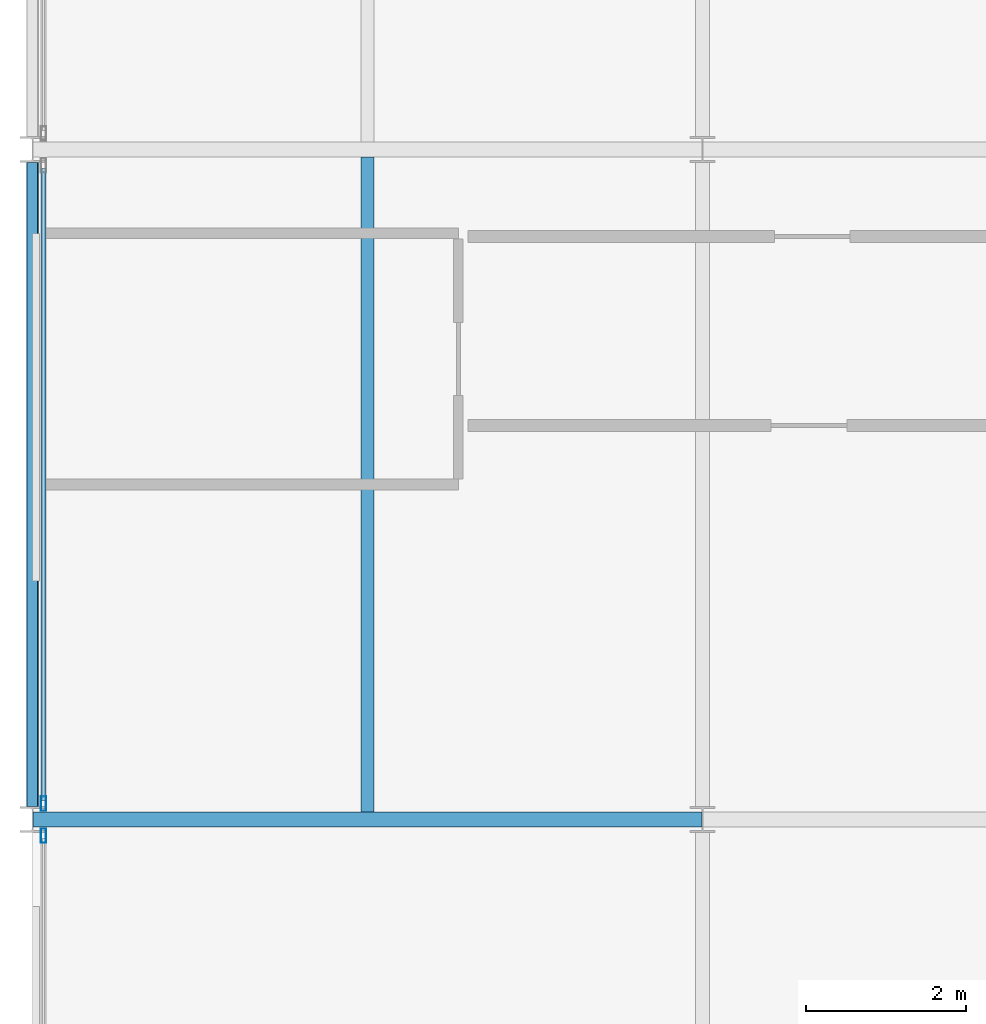
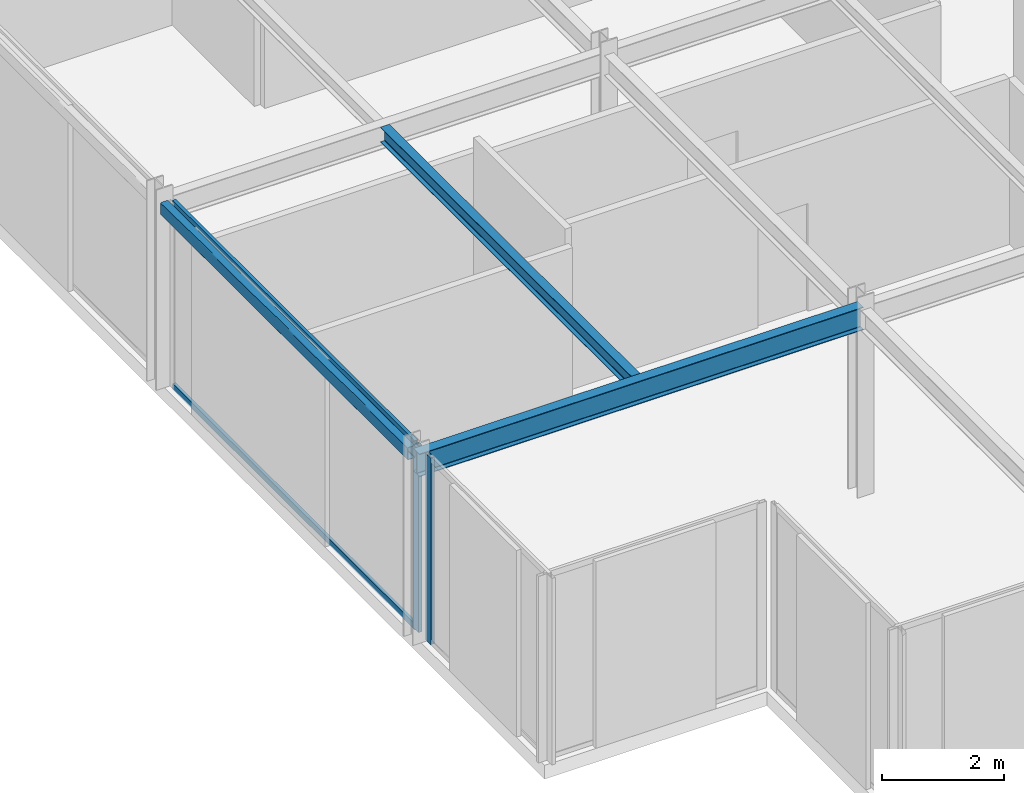
# One storey, part 5 of 26: 4 members, 3 beams, 2 elements without a shape of their own.
"""IFC4 building model written with IfcOpenShell, lengths in metres."""

from ifc_helpers import new_model, si_unit, direction, frame, origin, origin_2d, place, context, subcontext, project, spatial, hollow_rectangle, i_section, extrude, material, layer, layer_set, material_profile, profile_set, type_object, element, aggregate, save


model = new_model("IFC4")

# Units and contexts
model_context = context("Model", 3, precision=1e-05, world=origin(), true_north=direction((0.0, 1.0)))
body_context = subcontext(model_context, "Body", "Model", "MODEL_VIEW")
ifc_project = project(units=[si_unit("LENGTHUNIT", "METRE"), si_unit("AREAUNIT", "SQUARE_METRE"), si_unit("VOLUMEUNIT", "CUBIC_METRE"), si_unit("PLANEANGLEUNIT", "RADIAN"), si_unit("MASSUNIT", "GRAM", prefix="KILO")], contexts=[model_context])

# Site, building, storey
site_placement = place(None, origin())
site = spatial("IfcSite", under=ifc_project, at=site_placement, CompositionType="ELEMENT")
building_placement = place(site_placement, origin())
building = spatial("IfcBuilding", under=site, at=building_placement, Name="Nerrivon Quay Data Exchange", CompositionType="ELEMENT")
storey_placement = place(building_placement, frame((0.0, 0.0, 270.199951171875)))
storey = spatial("IfcBuildingStorey", under=building, at=storey_placement, Name="L64", CompositionType="ELEMENT", Elevation=270.199951171875)

# Beams
ifc_material_1 = material(Name="Steel Grade 350", Category="steel")
ifc_material_profile_1 = material_profile(ifc_material_1, i_section(OverallWidth=0.18994140625, OverallDepth=0.4541015625, WebThickness=0.008544921875, FlangeThickness=0.0126953125, FilletRadius=0.011474609375, at=origin_2d()), Name="460UB67.1")
ifc_profile_set_1 = profile_set([ifc_material_profile_1], Name="Steel Grade 350")
beam_type_1 = type_object("IfcBeamType", Name="BM-G6-460UB67", PredefinedType="BEAM", material=ifc_profile_set_1)
beam_1_placement = place(storey_placement, frame((0.0078125, 8.39990234375, 3.498046875), z_axis=(1.0, 0.0, 0.0), x_axis=(0.0, 1.0, 0.0)))
element("IfcBeam", 1, at=beam_1_placement, inside=storey, type_object=beam_type_1, Name="L64 EW Girder Y=8.4 (0.0..8.4)", PredefinedType="BEAM", context=body_context, shape_type="SweptSolid", body=[
    extrude(i_section(OverallWidth=0.18994140625, OverallDepth=0.4541015625, WebThickness=0.008544921875, FlangeThickness=0.0126953125, FilletRadius=0.011474609375, at=origin_2d()), origin(), (0.0, 0.0, 1.0), 8.38427734375),
])
ifc_material_profile_2 = material_profile(ifc_material_1, i_section(OverallWidth=0.1650390625, OverallDepth=0.303955078125, WebThickness=0.006103515625, FlangeThickness=0.01025390625, FilletRadius=0.011474609375, at=origin_2d()), Name="310UB40.4")
ifc_profile_set_2 = profile_set([ifc_material_profile_2], Name="Steel Grade 350")
beam_type_2 = type_object("IfcBeamType", Name="BM-J6-310UB40", PredefinedType="JOIST", material=ifc_profile_set_2)
beam_2_placement = place(storey_placement, frame((4.199951171875, 8.4951171875, 3.572998046875), z_axis=(0.0, 1.0, 0.0), x_axis=(-1.0, 0.0, 0.0)))
element("IfcBeam", 2, at=beam_2_placement, inside=storey, type_object=beam_type_2, Name="L64 Secondary Joist X=4.2 (8.4..16.8)", PredefinedType="JOIST", context=body_context, shape_type="SweptSolid", body=[
    extrude(i_section(OverallWidth=0.1650390625, OverallDepth=0.303955078125, WebThickness=0.006103515625, FlangeThickness=0.01025390625, FilletRadius=0.011474609375, at=origin_2d()), origin(), (0.0, 0.0, 1.0), 8.2099609375),
])
ifc_material_2 = material(Name="Steel Grade C350L0 (350 MPa)", Category="steel")
ifc_material_profile_3 = material_profile(ifc_material_2, hollow_rectangle(XDim=0.14990234375, YDim=0.25, WallThickness=0.009033203125, InnerFilletRadius=0.013427734375, OuterFilletRadius=0.0224609375, at=origin_2d()), Name="250x150x9.0RHS")
ifc_profile_set_3 = profile_set([ifc_material_profile_3], Name="Steel Grade C350L0 (350 MPa)")
beam_type_3 = type_object("IfcBeamType", Name="BM-SP4-250x150RHS", PredefinedType="SPANDREL", material=ifc_profile_set_3)
beam_3_placement = place(storey_placement, frame((0.0, 8.5634765625, 3.60009765625), z_axis=(0.0, 1.0, 0.0), x_axis=(-1.0, 0.0, 0.0)))
element("IfcBeam", 3, at=beam_3_placement, inside=storey, type_object=beam_type_3, Name="L64 NS Girder X=0.0 (8.4..16.8)", PredefinedType="SPANDREL", context=body_context, shape_type="SweptSolid", body=[
    extrude(hollow_rectangle(XDim=0.14990234375, YDim=0.25, WallThickness=0.009033203125, InnerFilletRadius=0.013427734375, OuterFilletRadius=0.0224609375, at=origin_2d()), origin(), (0.0, 0.0, 1.0), 8.072998046875),
])

# Curtain wall, member
ifc_material_3 = material(Name="Anodised aluminium 6063-T6", Category="aluminium")
ifc_layer = layer(ifc_material_3, 0.195068359375)
ifc_layer_set = layer_set([ifc_layer], Name="Anodised aluminium 6063-T6")
curtain_wall_type = type_object("IfcCurtainWallType", Name="CW-SYS-06", PredefinedType="NOTDEFINED", material=ifc_layer_set)
curtain_wall_1_placement = place(storey_placement, origin())
curtain_wall_1 = element("IfcCurtainWall", 4, at=curtain_wall_1_placement, inside=storey, type_object=curtain_wall_type, Name="L64 Unitised Curtain Wall 11", PredefinedType="NOTDEFINED")
ifc_material_profile_4 = material_profile(ifc_material_3, hollow_rectangle(XDim=0.06494140625, YDim=0.179931640625, WallThickness=0.00341796875, at=origin_2d()), Name="ALU-MULL-180x65")
ifc_profile_set_4 = profile_set([ifc_material_profile_4], Name="Anodised aluminium 6063-T6")
member_type_1 = type_object("IfcMemberType", Name="CWM-180x65", PredefinedType="MULLION", material=ifc_profile_set_4)
member_1_placement = place(storey_placement, frame((0.139892578125, 8.198974609375, 0.0), z_axis=(0.0, 0.0, 1.0), x_axis=(-1.0, 0.0, 0.0)))
member_1 = element("IfcMember", 5, at=member_1_placement, type_object=member_type_1, Name="CW06 mullion 2", PredefinedType="MULLION", context=body_context, shape_type="SweptSolid", body=[
    extrude(hollow_rectangle(XDim=0.06494140625, YDim=0.179931640625, WallThickness=0.00341796875, at=origin_2d()), origin(), (0.0, 0.0, 1.0), 3.72509765625),
])
aggregate(curtain_wall_1, [member_1])

# Curtain wall, members
curtain_wall_2_placement = place(storey_placement, origin())
curtain_wall_2 = element("IfcCurtainWall", 6, at=curtain_wall_2_placement, inside=storey, type_object=curtain_wall_type, Name="L64 Unitised Curtain Wall 12", PredefinedType="NOTDEFINED")
member_2_placement = place(storey_placement, frame((0.139892578125, 8.60107421875, 0.0), z_axis=(0.0, 0.0, 1.0), x_axis=(-1.0, 0.0, 0.0)))
member_2 = element("IfcMember", 7, at=member_2_placement, type_object=member_type_1, Name="CW06 mullion 1", PredefinedType="MULLION", context=body_context, shape_type="SweptSolid", body=[
    extrude(hollow_rectangle(XDim=0.06494140625, YDim=0.179931640625, WallThickness=0.00341796875, at=origin_2d()), origin(), (0.0, 0.0, 1.0), 3.72509765625),
])
ifc_material_profile_5 = material_profile(ifc_material_3, hollow_rectangle(XDim=0.06005859375, YDim=0.1201171875, WallThickness=0.003173828125, at=origin_2d()), Name="ALU-TRAN-120x60")
ifc_profile_set_5 = profile_set([ifc_material_profile_5], Name="Anodised aluminium 6063-T6")
member_type_2 = type_object("IfcMemberType", Name="CWT-120x60", PredefinedType="USERDEFINED", material=ifc_profile_set_5)
member_3_placement = place(storey_placement, frame((0.139892578125, 8.638427734375, 0.032470703125), z_axis=(0.0, 1.0, 0.0), x_axis=(-1.0, 0.0, 0.0)))
member_3 = element("IfcMember", 8, at=member_3_placement, type_object=member_type_2, Name="CW06 transom 1.1", ObjectType="TRANSOM", PredefinedType="USERDEFINED", context=body_context, shape_type="SweptSolid", body=[
    extrude(hollow_rectangle(XDim=0.06005859375, YDim=0.1201171875, WallThickness=0.003173828125, at=origin_2d()), origin(), (0.0, 0.0, 1.0), 7.923095703125),
])
member_4_placement = place(storey_placement, frame((0.139892578125, 8.638427734375, 3.692626953125), z_axis=(0.0, 1.0, 0.0), x_axis=(-1.0, 0.0, 0.0)))
member_4 = element("IfcMember", 9, at=member_4_placement, type_object=member_type_2, Name="CW06 transom 1.2", ObjectType="TRANSOM", PredefinedType="USERDEFINED", context=body_context, shape_type="SweptSolid", body=[
    extrude(hollow_rectangle(XDim=0.06005859375, YDim=0.1201171875, WallThickness=0.003173828125, at=origin_2d()), origin(), (0.0, 0.0, 1.0), 7.923095703125),
])
aggregate(curtain_wall_2, [member_2, member_3, member_4])

save(model, "model.ifc")
